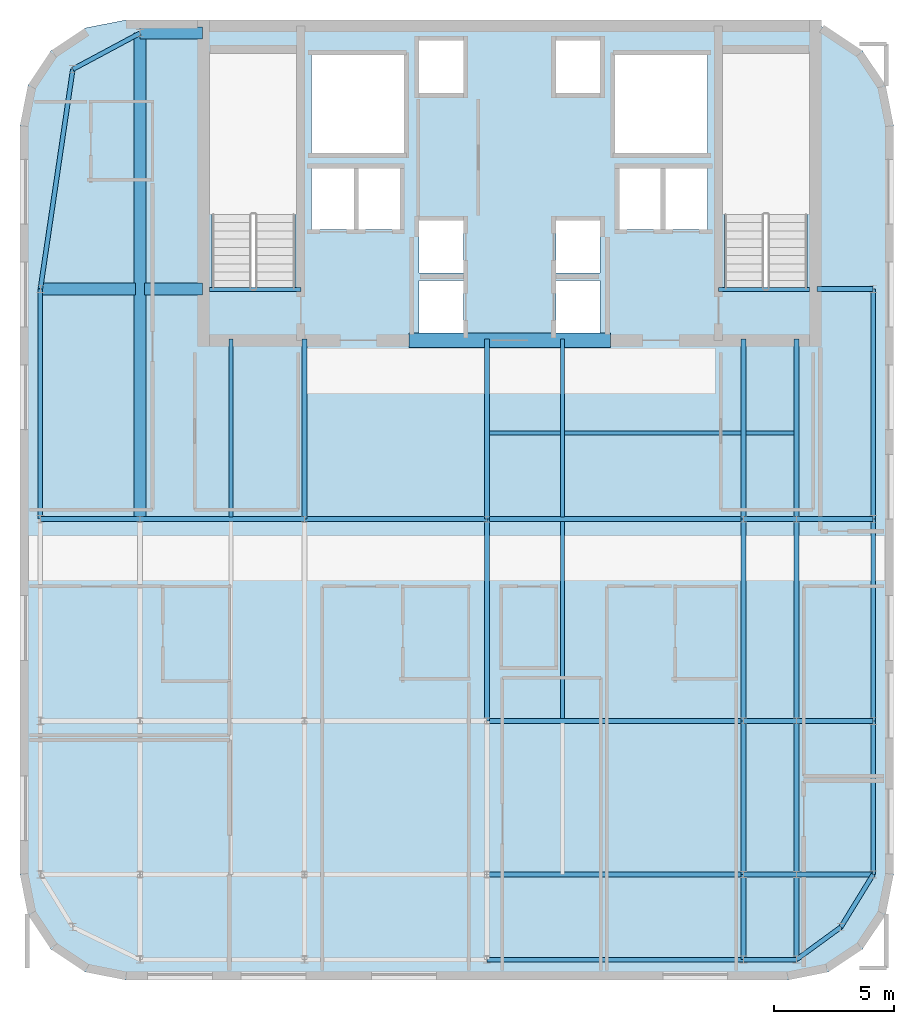
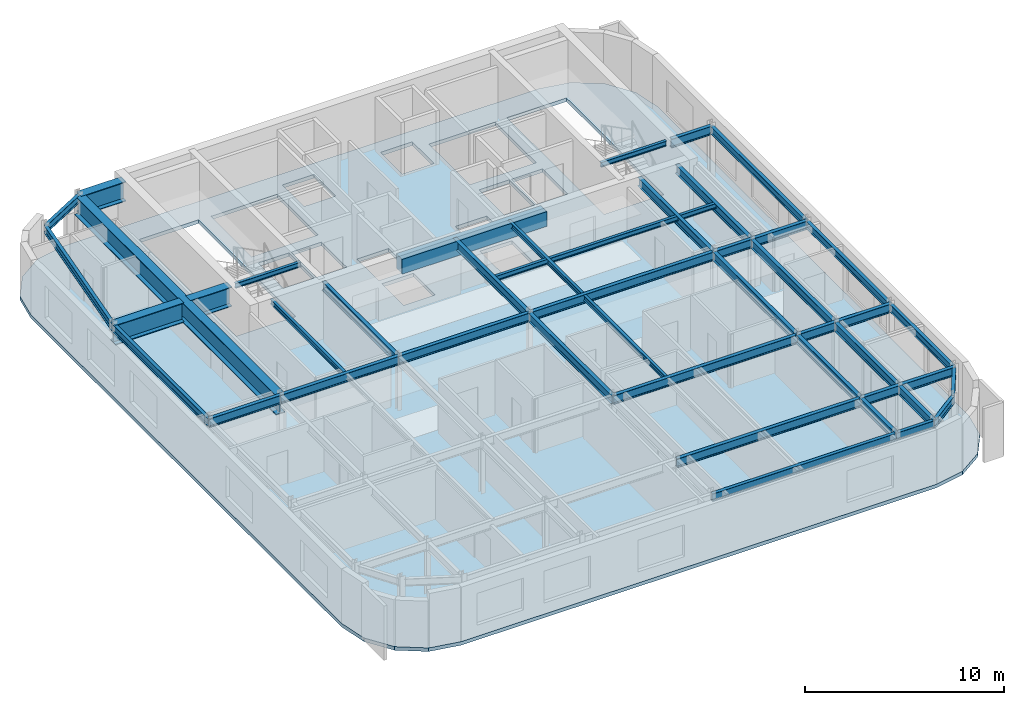
# One storey, part 5 of 12: 45 beams, 1 slab.
"""IFC4 building model written with IfcOpenShell, lengths in metres."""

from ifc_helpers import new_model, si_unit, direction, frame, origin, origin_2d, place, context, subcontext, project, spatial, polyline, rectangle, i_section, outline, extrude, source, transform, mapped, material, layer, layer_set, material_profile, profile_set, type_object, type_shapes, element, save


model = new_model("IFC4")

# Units and contexts
model_context = context("Model", 3, precision=1e-05, world=origin(), true_north=direction((0.0, 1.0)))
body_context = subcontext(model_context, "Body", "Model", "MODEL_VIEW")
ifc_project = project(units=[si_unit("LENGTHUNIT", "METRE"), si_unit("AREAUNIT", "SQUARE_METRE"), si_unit("VOLUMEUNIT", "CUBIC_METRE"), si_unit("PLANEANGLEUNIT", "RADIAN"), si_unit("MASSUNIT", "GRAM", prefix="KILO")], contexts=[model_context])

# Site, building, storey
site_placement = place(None, origin())
site = spatial("IfcSite", under=ifc_project, at=site_placement, CompositionType="ELEMENT")
building_placement = place(site_placement, origin())
building = spatial("IfcBuilding", under=site, at=building_placement, Name="Tolvann Quenvar Hotel", CompositionType="ELEMENT")
storey_placement = place(building_placement, frame((0.0, 0.0, 275.050048828125)))
storey = spatial("IfcBuildingStorey", under=building, at=storey_placement, Name="L73", CompositionType="ELEMENT", Elevation=275.050048828125)

# Beams
ifc_material_1 = material(Name="Concrete N50 (50 MPa)", Category="concrete")
ifc_material_profile_1 = material_profile(ifc_material_1, rectangle(XDim=0.60009765625, YDim=0.89990234375, at=origin_2d()), Name="RC600x900")
ifc_profile_set_1 = profile_set([ifc_material_profile_1], Name="Concrete N50 (50 MPa)")
beam_type_1 = type_object("IfcBeamType", Name="BM_LINT_RC600x900", PredefinedType="LINTEL", material=ifc_profile_set_1)
shared_shape_1 = source(origin(), body_context, "Body", "SweptSolid", [
    extrude(rectangle(XDim=0.60009765625, YDim=0.89990234375, at=origin_2d()), origin(), (0.0, 0.0, 1.0), 8.39990234375),
])
type_shapes(beam_type_1, [shared_shape_1])
beam_1_placement = place(storey_placement, frame((18.800048828125, 31.85009765625, 2.8798828125), z_axis=(1.0, 0.0, 0.0), x_axis=(0.0, 1.0, 0.0)))
element("IfcBeam", 1, at=beam_1_placement, inside=storey, type_object=beam_type_1, Name="Core Coupling Lintel Beam (L73)", PredefinedType="LINTEL", context=body_context, shape_type="MappedRepresentation", body=[
    mapped(shared_shape_1, transform((0.0, 0.0, 0.0), x_axis=(1.0, 0.0, 0.0), y_axis=(0.0, 1.0, 0.0), z_axis=(0.0, 0.0, 1.0), scale=1.0)),
])
ifc_material_2 = material(Name="Steel Grade 350", Category="steel")
ifc_material_profile_2 = material_profile(ifc_material_2, i_section(OverallWidth=0.208984375, OverallDepth=0.532958984375, WebThickness=0.01025390625, FlangeThickness=0.015625, FilletRadius=0.013916015625, at=origin_2d()), Name="530UB92")
ifc_profile_set_2 = profile_set([ifc_material_profile_2], Name="Steel Grade 350")
beam_type_2 = type_object("IfcBeamType", Name="BM_GIRD_530UB92", PredefinedType="BEAM", material=ifc_profile_set_2)
shared_shape_2 = source(origin(), body_context, "Body", "SweptSolid", [
    extrude(i_section(OverallWidth=0.208984375, OverallDepth=0.532958984375, WebThickness=0.01025390625, FlangeThickness=0.015625, FilletRadius=0.013916015625, at=origin_2d()), origin(), (0.0, 0.0, 1.0), 8.39990234375),
])
for number, where, z_axis, x_axis, name in (
    (2, (22.050048828125, 16.0, 3.0634765625), (0.0, 1.0, 0.0), (-1.0, 0.0, 0.0), "BM-L73-NS-E4-E5"),
    (3, (34.949951171875, 16.0, 3.0634765625), (0.0, 1.0, 0.0), (-1.0, 0.0, 0.0), "BM-L73-NS-F4-F5"),
    (4, (32.75, 16.0, 3.0634765625), (0.0, 1.0, 0.0), (-1.0, 0.0, 0.0), "BM-L73-NS-FP4-FP5"),
):
    element("IfcBeam", number, at=place(storey_placement, frame(where, z_axis=z_axis, x_axis=x_axis)), inside=storey, type_object=beam_type_2, Name=name, PredefinedType="BEAM", context=body_context, shape_type="MappedRepresentation", body=[
        mapped(shared_shape_2, transform((0.0, 0.0, 0.0), x_axis=(1.0, 0.0, 0.0), y_axis=(0.0, 1.0, 0.0), z_axis=(0.0, 0.0, 1.0), scale=1.0)),
    ])
ifc_material_profile_3 = material_profile(ifc_material_2, i_section(OverallWidth=0.5, OverallDepth=1.199951171875, WebThickness=0.01611328125, FlangeThickness=0.0400390625, at=origin_2d()), Name="1200WB455")
ifc_profile_set_3 = profile_set([ifc_material_profile_3], Name="Steel Grade 350")
beam_type_3 = type_object("IfcBeamType", Name="BM_TG_1200WB455", PredefinedType="USERDEFINED", material=ifc_profile_set_3)
shared_shape_3 = source(origin(), body_context, "Body", "SweptSolid", [
    extrude(i_section(OverallWidth=0.5, OverallDepth=1.199951171875, WebThickness=0.01611328125, FlangeThickness=0.0400390625, at=origin_2d()), origin(), (0.0, 0.0, 1.0), 2.419921875),
])
beam_2_placement = place(storey_placement, frame((7.780029296875, 34.0, 2.72998046875), z_axis=(1.0, 0.0, 0.0), x_axis=(0.0, 1.0, 0.0)))
element("IfcBeam", 5, at=beam_2_placement, inside=storey, type_object=beam_type_3, Name="BM-L73-CTW-MID2", ObjectType="TRANSFER GIRDER", PredefinedType="USERDEFINED", context=body_context, shape_type="MappedRepresentation", body=[
    mapped(shared_shape_3, transform((0.0, 0.0, 0.0), x_axis=(1.0, 0.0, 0.0), y_axis=(0.0, 1.0, 0.0), z_axis=(0.0, 0.0, 1.0), scale=1.0)),
])
shared_shape_4 = source(origin(), body_context, "Body", "SweptSolid", [
    extrude(i_section(OverallWidth=0.5, OverallDepth=1.199951171875, WebThickness=0.01611328125, FlangeThickness=0.0400390625, at=origin_2d()), origin(), (0.0, 0.0, 1.0), 2.599853515625),
])
beam_3_placement = place(storey_placement, frame((7.60009765625, 44.64990234375, 2.72998046875), z_axis=(1.0, 0.0, 0.0), x_axis=(0.0, 1.0, 0.0)))
element("IfcBeam", 6, at=beam_3_placement, inside=storey, type_object=beam_type_3, Name="BM-L73-CTW-CN", ObjectType="TRANSFER GIRDER", PredefinedType="USERDEFINED", context=body_context, shape_type="MappedRepresentation", body=[
    mapped(shared_shape_4, transform((0.0, 0.0, 0.0), x_axis=(1.0, 0.0, 0.0), y_axis=(0.0, 1.0, 0.0), z_axis=(0.0, 0.0, 1.0), scale=1.0)),
])
ifc_material_profile_4 = material_profile(ifc_material_2, i_section(OverallWidth=0.166015625, OverallDepth=0.306884765625, WebThickness=0.006591796875, FlangeThickness=0.01171875, FilletRadius=0.011474609375, at=origin_2d()), Name="310UB46")
ifc_profile_set_4 = profile_set([ifc_material_profile_4], Name="Steel Grade 350")
beam_type_4 = type_object("IfcBeamType", Name="BM_JOIST_310UB46", PredefinedType="JOIST", material=ifc_profile_set_4)
shared_shape_5 = source(origin(), body_context, "Body", "SweptSolid", [
    extrude(i_section(OverallWidth=0.166015625, OverallDepth=0.306884765625, WebThickness=0.006591796875, FlangeThickness=0.01171875, FilletRadius=0.011474609375, at=origin_2d()), origin(), (0.0, 0.0, 1.0), 3.800048828125),
])
for number, where, z_axis, x_axis, name in (
    (7, (10.5, 33.97998046875, 3.176513671875), (1.0, 0.0, 0.0), (0.0, 1.0, 0.0), "BM-HDR-STC1-L74"),
    (8, (31.699951171875, 33.97998046875, 3.176513671875), (1.0, 0.0, 0.0), (0.0, 1.0, 0.0), "BM-HDR-STC2-L74"),
):
    element("IfcBeam", number, at=place(storey_placement, frame(where, z_axis=z_axis, x_axis=x_axis)), inside=storey, type_object=beam_type_4, Name=name, PredefinedType="JOIST", context=body_context, shape_type="MappedRepresentation", body=[
        mapped(shared_shape_5, transform((0.0, 0.0, 0.0), x_axis=(1.0, 0.0, 0.0), y_axis=(0.0, 1.0, 0.0), z_axis=(0.0, 0.0, 1.0), scale=1.0)),
    ])
shared_shape_6 = source(origin(), body_context, "Body", "SweptSolid", [
    extrude(i_section(OverallWidth=0.5, OverallDepth=1.199951171875, WebThickness=0.01611328125, FlangeThickness=0.0400390625, at=origin_2d()), origin(), (0.0, 0.0, 1.0), 3.969970703125),
])
beam_4_placement = place(storey_placement, frame((3.449951171875, 34.0, 2.72998046875), z_axis=(1.0, 0.0, 0.0), x_axis=(0.0, 1.0, 0.0)))
element("IfcBeam", 9, at=beam_4_placement, inside=storey, type_object=beam_type_3, Name="BM-L73-CTW-MID1", ObjectType="TRANSFER GIRDER", PredefinedType="USERDEFINED", context=body_context, shape_type="MappedRepresentation", body=[
    mapped(shared_shape_6, transform((0.0, 0.0, 0.0), x_axis=(1.0, 0.0, 0.0), y_axis=(0.0, 1.0, 0.0), z_axis=(0.0, 0.0, 1.0), scale=1.0)),
])
ifc_material_profile_5 = material_profile(ifc_material_2, i_section(OverallWidth=0.19091796875, OverallDepth=0.4599609375, WebThickness=0.010009765625, FlangeThickness=0.01611328125, FilletRadius=0.011474609375, at=origin_2d()), Name="460UB82")
ifc_profile_set_5 = profile_set([ifc_material_profile_5], Name="Steel Grade 350")
beam_type_5 = type_object("IfcBeamType", Name="BM_SPAND_460UB82", PredefinedType="SPANDREL", material=ifc_profile_set_5)
shared_shape_7 = source(origin(), body_context, "Body", "SweptSolid", [
    extrude(i_section(OverallWidth=0.19091796875, OverallDepth=0.4599609375, WebThickness=0.010009765625, FlangeThickness=0.01611328125, FilletRadius=0.011474609375, at=origin_2d()), origin(), (0.0, 0.0, 1.0), 8.39990234375),
])
beam_5_placement = place(storey_placement, frame((38.14990234375, 16.0, 3.099853515625), z_axis=(0.0, 1.0, 0.0), x_axis=(-1.0, 0.0, 0.0)))
element("IfcBeam", 10, at=beam_5_placement, inside=storey, type_object=beam_type_5, Name="BM-L73-NS-G4-G5", PredefinedType="SPANDREL", context=body_context, shape_type="MappedRepresentation", body=[
    mapped(shared_shape_7, transform((0.0, 0.0, 0.0), x_axis=(1.0, 0.0, 0.0), y_axis=(0.0, 1.0, 0.0), z_axis=(0.0, 0.0, 1.0), scale=1.0)),
])
shared_shape_8 = source(origin(), body_context, "Body", "SweptSolid", [
    extrude(i_section(OverallWidth=0.19091796875, OverallDepth=0.4599609375, WebThickness=0.010009765625, FlangeThickness=0.01611328125, FilletRadius=0.011474609375, at=origin_2d()), origin(), (0.0, 0.0, 1.0), 9.60009765625),
])
for number, where, z_axis, x_axis, name in (
    (11, (3.449951171875, 24.39990234375, 3.099853515625), (0.0, 1.0, 0.0), (-1.0, 0.0, 0.0), "BM-L73-FLK-W1"),
    (12, (38.14990234375, 24.39990234375, 3.099853515625), (0.0, 1.0, 0.0), (-1.0, 0.0, 0.0), "BM-L73-FLK-G1"),
):
    element("IfcBeam", number, at=place(storey_placement, frame(where, z_axis=z_axis, x_axis=x_axis)), inside=storey, type_object=beam_type_5, Name=name, PredefinedType="SPANDREL", context=body_context, shape_type="MappedRepresentation", body=[
        mapped(shared_shape_8, transform((0.0, 0.0, 0.0), x_axis=(1.0, 0.0, 0.0), y_axis=(0.0, 1.0, 0.0), z_axis=(0.0, 0.0, 1.0), scale=1.0)),
    ])
shared_shape_9 = source(origin(), body_context, "Body", "SweptSolid", [
    extrude(i_section(OverallWidth=0.19091796875, OverallDepth=0.4599609375, WebThickness=0.010009765625, FlangeThickness=0.01611328125, FilletRadius=0.011474609375, at=origin_2d()), origin(), (0.0, 0.0, 1.0), 9.2490234375),
])
beam_6_placement = place(storey_placement, frame((3.449951171875, 34.0, 3.099853515625), z_axis=(0.145972731602, 0.989288613918, 0.0), x_axis=(-0.989288613918, 0.145972731602, 0.0)))
element("IfcBeam", 13, at=beam_6_placement, inside=storey, type_object=beam_type_5, Name="BM-L73-FLK-W2", PredefinedType="SPANDREL", context=body_context, shape_type="MappedRepresentation", body=[
    mapped(shared_shape_9, transform((0.0, 0.0, 0.0), x_axis=(1.0, 0.0, 0.0), y_axis=(0.0, 1.0, 0.0), z_axis=(0.0, 0.0, 1.0), scale=1.0)),
])
shared_shape_10 = source(origin(), body_context, "Body", "SweptSolid", [
    extrude(i_section(OverallWidth=0.19091796875, OverallDepth=0.4599609375, WebThickness=0.010009765625, FlangeThickness=0.01611328125, FilletRadius=0.011474609375, at=origin_2d()), origin(), (0.0, 0.0, 1.0), 3.176513671875),
])
beam_7_placement = place(storey_placement, frame((4.800048828125, 43.14990234375, 3.099853515625), z_axis=(0.881483397762, 0.472215014025, 0.0), x_axis=(-0.472215014025, 0.881483397762, 0.0)))
element("IfcBeam", 14, at=beam_7_placement, inside=storey, type_object=beam_type_5, Name="BM-L73-FLK-W3", PredefinedType="SPANDREL", context=body_context, shape_type="MappedRepresentation", body=[
    mapped(shared_shape_10, transform((0.0, 0.0, 0.0), x_axis=(1.0, 0.0, 0.0), y_axis=(0.0, 1.0, 0.0), z_axis=(0.0, 0.0, 1.0), scale=1.0)),
])
shared_shape_11 = source(origin(), body_context, "Body", "SweptSolid", [
    extrude(i_section(OverallWidth=0.5, OverallDepth=1.199951171875, WebThickness=0.01611328125, FlangeThickness=0.0400390625, at=origin_2d()), origin(), (0.0, 0.0, 1.0), 20.25),
])
type_shapes(beam_type_3, [shared_shape_3, shared_shape_4, shared_shape_6, shared_shape_11])
beam_8_placement = place(storey_placement, frame((7.60009765625, 24.39990234375, 2.72998046875), z_axis=(0.0, 1.0, 0.0), x_axis=(-1.0, 0.0, 0.0)))
element("IfcBeam", 15, at=beam_8_placement, inside=storey, type_object=beam_type_3, Name="BM-L73-FLK-WC", ObjectType="TRANSFER GIRDER", PredefinedType="USERDEFINED", context=body_context, shape_type="MappedRepresentation", body=[
    mapped(shared_shape_11, transform((0.0, 0.0, 0.0), x_axis=(1.0, 0.0, 0.0), y_axis=(0.0, 1.0, 0.0), z_axis=(0.0, 0.0, 1.0), scale=1.0)),
])
shared_shape_12 = source(origin(), body_context, "Body", "SweptSolid", [
    extrude(i_section(OverallWidth=0.166015625, OverallDepth=0.306884765625, WebThickness=0.006591796875, FlangeThickness=0.01171875, FilletRadius=0.011474609375, at=origin_2d()), origin(), (0.0, 0.0, 1.0), 12.89990234375),
])
beam_9_placement = place(storey_placement, frame((22.050048828125, 28.0, 3.176513671875), z_axis=(1.0, 0.0, 0.0), x_axis=(0.0, 1.0, 0.0)))
element("IfcBeam", 16, at=beam_9_placement, inside=storey, type_object=beam_type_4, Name="BM-L73-SPINE-28", PredefinedType="JOIST", context=body_context, shape_type="MappedRepresentation", body=[
    mapped(shared_shape_12, transform((0.0, 0.0, 0.0), x_axis=(1.0, 0.0, 0.0), y_axis=(0.0, 1.0, 0.0), z_axis=(0.0, 0.0, 1.0), scale=1.0)),
])
shared_shape_13 = source(origin(), body_context, "Body", "SweptSolid", [
    extrude(i_section(OverallWidth=0.19091796875, OverallDepth=0.4599609375, WebThickness=0.010009765625, FlangeThickness=0.01611328125, FilletRadius=0.011474609375, at=origin_2d()), origin(), (0.0, 0.0, 1.0), 2.199951171875),
])
beam_10_placement = place(storey_placement, frame((32.75, 6.050048828125, 3.099853515625), z_axis=(1.0, 0.0, 0.0), x_axis=(0.0, 1.0, 0.0)))
element("IfcBeam", 17, at=beam_10_placement, inside=storey, type_object=beam_type_5, Name="BM-L73-EW-2-FP2-F2", PredefinedType="SPANDREL", context=body_context, shape_type="MappedRepresentation", body=[
    mapped(shared_shape_13, transform((0.0, 0.0, 0.0), x_axis=(1.0, 0.0, 0.0), y_axis=(0.0, 1.0, 0.0), z_axis=(0.0, 0.0, 1.0), scale=1.0)),
])
shared_shape_14 = source(origin(), body_context, "Body", "SweptSolid", [
    extrude(i_section(OverallWidth=0.19091796875, OverallDepth=0.4599609375, WebThickness=0.010009765625, FlangeThickness=0.01611328125, FilletRadius=0.011474609375, at=origin_2d()), origin(), (0.0, 0.0, 1.0), 2.290283203125),
])
beam_11_placement = place(storey_placement, frame((34.949951171875, 6.050048828125, 3.099853515625), z_axis=(0.80783621865, 0.589407027305, 0.0), x_axis=(-0.589407027305, 0.80783621865, 0.0)))
element("IfcBeam", 18, at=beam_11_placement, inside=storey, type_object=beam_type_5, Name="BM-L73-EW-2-F2-G2", PredefinedType="SPANDREL", context=body_context, shape_type="MappedRepresentation", body=[
    mapped(shared_shape_14, transform((0.0, 0.0, 0.0), x_axis=(1.0, 0.0, 0.0), y_axis=(0.0, 1.0, 0.0), z_axis=(0.0, 0.0, 1.0), scale=1.0)),
])
shared_shape_15 = source(origin(), body_context, "Body", "SweptSolid", [
    extrude(i_section(OverallWidth=0.208984375, OverallDepth=0.532958984375, WebThickness=0.01025390625, FlangeThickness=0.015625, FilletRadius=0.013916015625, at=origin_2d()), origin(), (0.0, 0.0, 1.0), 4.150146484375),
])
beam_12_placement = place(storey_placement, frame((3.449951171875, 24.39990234375, 3.0634765625), z_axis=(1.0, 0.0, 0.0), x_axis=(0.0, 1.0, 0.0)))
element("IfcBeam", 19, at=beam_12_placement, inside=storey, type_object=beam_type_2, Name="BM-L73-EW-5-B5-C5", PredefinedType="BEAM", context=body_context, shape_type="MappedRepresentation", body=[
    mapped(shared_shape_15, transform((0.0, 0.0, 0.0), x_axis=(1.0, 0.0, 0.0), y_axis=(0.0, 1.0, 0.0), z_axis=(0.0, 0.0, 1.0), scale=1.0)),
])
shared_shape_16 = source(origin(), body_context, "Body", "SweptSolid", [
    extrude(i_section(OverallWidth=0.208984375, OverallDepth=0.532958984375, WebThickness=0.01025390625, FlangeThickness=0.015625, FilletRadius=0.013916015625, at=origin_2d()), origin(), (0.0, 0.0, 1.0), 6.849853515625),
])
beam_13_placement = place(storey_placement, frame((7.60009765625, 24.39990234375, 3.0634765625), z_axis=(1.0, 0.0, 0.0), x_axis=(0.0, 1.0, 0.0)))
element("IfcBeam", 20, at=beam_13_placement, inside=storey, type_object=beam_type_2, Name="BM-L73-EW-5-C5-D5", PredefinedType="BEAM", context=body_context, shape_type="MappedRepresentation", body=[
    mapped(shared_shape_16, transform((0.0, 0.0, 0.0), x_axis=(1.0, 0.0, 0.0), y_axis=(0.0, 1.0, 0.0), z_axis=(0.0, 0.0, 1.0), scale=1.0)),
])
shared_shape_17 = source(origin(), body_context, "Body", "SweptSolid", [
    extrude(i_section(OverallWidth=0.208984375, OverallDepth=0.532958984375, WebThickness=0.01025390625, FlangeThickness=0.015625, FilletRadius=0.013916015625, at=origin_2d()), origin(), (0.0, 0.0, 1.0), 2.199951171875),
])
for number, where, z_axis, x_axis, name in (
    (21, (32.75, 9.60009765625, 3.0634765625), (1.0, 0.0, 0.0), (0.0, 1.0, 0.0), "BM-L73-EW-3-FP3-F3"),
    (22, (32.75, 16.0, 3.0634765625), (1.0, 0.0, 0.0), (0.0, 1.0, 0.0), "BM-L73-EW-4-FP4-F4"),
    (23, (32.75, 24.39990234375, 3.0634765625), (1.0, 0.0, 0.0), (0.0, 1.0, 0.0), "BM-L73-EW-5-FP5-F5"),
):
    element("IfcBeam", number, at=place(storey_placement, frame(where, z_axis=z_axis, x_axis=x_axis)), inside=storey, type_object=beam_type_2, Name=name, PredefinedType="BEAM", context=body_context, shape_type="MappedRepresentation", body=[
        mapped(shared_shape_17, transform((0.0, 0.0, 0.0), x_axis=(1.0, 0.0, 0.0), y_axis=(0.0, 1.0, 0.0), z_axis=(0.0, 0.0, 1.0), scale=1.0)),
    ])
shared_shape_18 = source(origin(), body_context, "Body", "SweptSolid", [
    extrude(i_section(OverallWidth=0.208984375, OverallDepth=0.532958984375, WebThickness=0.01025390625, FlangeThickness=0.015625, FilletRadius=0.013916015625, at=origin_2d()), origin(), (0.0, 0.0, 1.0), 3.199951171875),
])
for number, where, z_axis, x_axis, name in (
    (24, (34.949951171875, 9.60009765625, 3.0634765625), (1.0, 0.0, 0.0), (0.0, 1.0, 0.0), "BM-L73-EW-3-F3-G3"),
    (25, (34.949951171875, 16.0, 3.0634765625), (1.0, 0.0, 0.0), (0.0, 1.0, 0.0), "BM-L73-EW-4-F4-G4"),
    (26, (34.949951171875, 24.39990234375, 3.0634765625), (1.0, 0.0, 0.0), (0.0, 1.0, 0.0), "BM-L73-EW-5-F5-G5"),
):
    element("IfcBeam", number, at=place(storey_placement, frame(where, z_axis=z_axis, x_axis=x_axis)), inside=storey, type_object=beam_type_2, Name=name, PredefinedType="BEAM", context=body_context, shape_type="MappedRepresentation", body=[
        mapped(shared_shape_18, transform((0.0, 0.0, 0.0), x_axis=(1.0, 0.0, 0.0), y_axis=(0.0, 1.0, 0.0), z_axis=(0.0, 0.0, 1.0), scale=1.0)),
    ])
shared_shape_19 = source(origin(), body_context, "Body", "SweptSolid", [
    extrude(i_section(OverallWidth=0.208984375, OverallDepth=0.532958984375, WebThickness=0.01025390625, FlangeThickness=0.015625, FilletRadius=0.013916015625, at=origin_2d()), origin(), (0.0, 0.0, 1.0), 7.60009765625),
])
beam_14_placement = place(storey_placement, frame((14.449951171875, 24.39990234375, 3.0634765625), z_axis=(1.0, 0.0, 0.0), x_axis=(0.0, 1.0, 0.0)))
element("IfcBeam", 27, at=beam_14_placement, inside=storey, type_object=beam_type_2, Name="BM-L73-EW-5-D5-E5", PredefinedType="BEAM", context=body_context, shape_type="MappedRepresentation", body=[
    mapped(shared_shape_19, transform((0.0, 0.0, 0.0), x_axis=(1.0, 0.0, 0.0), y_axis=(0.0, 1.0, 0.0), z_axis=(0.0, 0.0, 1.0), scale=1.0)),
])
shared_shape_20 = source(origin(), body_context, "Body", "SweptSolid", [
    extrude(i_section(OverallWidth=0.208984375, OverallDepth=0.532958984375, WebThickness=0.01025390625, FlangeThickness=0.015625, FilletRadius=0.013916015625, at=origin_2d()), origin(), (0.0, 0.0, 1.0), 7.5),
])
for number, where, z_axis, x_axis, name in (
    (28, (14.449951171875, 24.39990234375, 3.0634765625), (0.0, 1.0, 0.0), (-1.0, 0.0, 0.0), "BM-L73-CORE-D5"),
    (29, (22.050048828125, 24.39990234375, 3.0634765625), (0.0, 1.0, 0.0), (-1.0, 0.0, 0.0), "BM-L73-CORE-E5"),
    (30, (34.949951171875, 24.39990234375, 3.0634765625), (0.0, 1.0, 0.0), (-1.0, 0.0, 0.0), "BM-L73-CORE-F5"),
    (31, (32.75, 24.39990234375, 3.0634765625), (0.0, 1.0, 0.0), (-1.0, 0.0, 0.0), "BM-L73-CORE-FP5"),
):
    element("IfcBeam", number, at=place(storey_placement, frame(where, z_axis=z_axis, x_axis=x_axis)), inside=storey, type_object=beam_type_2, Name=name, PredefinedType="BEAM", context=body_context, shape_type="MappedRepresentation", body=[
        mapped(shared_shape_20, transform((0.0, 0.0, 0.0), x_axis=(1.0, 0.0, 0.0), y_axis=(0.0, 1.0, 0.0), z_axis=(0.0, 0.0, 1.0), scale=1.0)),
    ])
shared_shape_21 = source(origin(), body_context, "Body", "SweptSolid", [
    extrude(i_section(OverallWidth=0.208984375, OverallDepth=0.532958984375, WebThickness=0.01025390625, FlangeThickness=0.015625, FilletRadius=0.013916015625, at=origin_2d()), origin(), (0.0, 0.0, 1.0), 2.349853515625),
])
beam_15_placement = place(storey_placement, frame((35.800048828125, 34.0, 3.0634765625), z_axis=(1.0, 0.0, 0.0), x_axis=(0.0, 1.0, 0.0)))
element("IfcBeam", 32, at=beam_15_placement, inside=storey, type_object=beam_type_2, Name="BM-L73-CTE-GD6", PredefinedType="BEAM", context=body_context, shape_type="MappedRepresentation", body=[
    mapped(shared_shape_21, transform((0.0, 0.0, 0.0), x_axis=(1.0, 0.0, 0.0), y_axis=(0.0, 1.0, 0.0), z_axis=(0.0, 0.0, 1.0), scale=1.0)),
])
shared_shape_22 = source(origin(), body_context, "Body", "SweptSolid", [
    extrude(i_section(OverallWidth=0.166015625, OverallDepth=0.306884765625, WebThickness=0.006591796875, FlangeThickness=0.01171875, FilletRadius=0.011474609375, at=origin_2d()), origin(), (0.0, 0.0, 1.0), 8.203125),
])
beam_16_placement = place(storey_placement, frame((25.199951171875, 16.098388671875, 3.176513671875), z_axis=(0.0, 1.0, 0.0), x_axis=(-1.0, 0.0, 0.0)))
element("IfcBeam", 33, at=beam_16_placement, inside=storey, type_object=beam_type_4, Name="BJ-L73-252-160", PredefinedType="JOIST", context=body_context, shape_type="MappedRepresentation", body=[
    mapped(shared_shape_22, transform((0.0, 0.0, 0.0), x_axis=(1.0, 0.0, 0.0), y_axis=(0.0, 1.0, 0.0), z_axis=(0.0, 0.0, 1.0), scale=1.0)),
])
shared_shape_23 = source(origin(), body_context, "Body", "SweptSolid", [
    extrude(i_section(OverallWidth=0.166015625, OverallDepth=0.306884765625, WebThickness=0.006591796875, FlangeThickness=0.01171875, FilletRadius=0.011474609375, at=origin_2d()), origin(), (0.0, 0.0, 1.0), 7.4013671875),
])
type_shapes(beam_type_4, [shared_shape_5, shared_shape_12, shared_shape_22, shared_shape_23])
for number, where, z_axis, x_axis, name in (
    (34, (11.39990234375, 24.49853515625, 3.176513671875), (0.0, 1.0, 0.0), (-1.0, 0.0, 0.0), "BJ-L73-114-244"),
    (35, (25.199951171875, 24.49853515625, 3.176513671875), (0.0, 1.0, 0.0), (-1.0, 0.0, 0.0), "BJ-L73-252-244"),
):
    element("IfcBeam", number, at=place(storey_placement, frame(where, z_axis=z_axis, x_axis=x_axis)), inside=storey, type_object=beam_type_4, Name=name, PredefinedType="JOIST", context=body_context, shape_type="MappedRepresentation", body=[
        mapped(shared_shape_23, transform((0.0, 0.0, 0.0), x_axis=(1.0, 0.0, 0.0), y_axis=(0.0, 1.0, 0.0), z_axis=(0.0, 0.0, 1.0), scale=1.0)),
    ])
shared_shape_24 = source(origin(), body_context, "Body", "SweptSolid", [
    extrude(i_section(OverallWidth=0.19091796875, OverallDepth=0.4599609375, WebThickness=0.010009765625, FlangeThickness=0.01611328125, FilletRadius=0.011474609375, at=origin_2d()), origin(), (0.0, 0.0, 1.0), 10.699951171875),
])
beam_17_placement = place(storey_placement, frame((22.050048828125, 6.050048828125, 3.099853515625), z_axis=(1.0, 0.0, 0.0), x_axis=(0.0, 1.0, 0.0)))
element("IfcBeam", 36, at=beam_17_placement, inside=storey, type_object=beam_type_5, Name="BM-L73-EW-2-E2-FP2", PredefinedType="SPANDREL", context=body_context, shape_type="MappedRepresentation", body=[
    mapped(shared_shape_24, transform((0.0, 0.0, 0.0), x_axis=(1.0, 0.0, 0.0), y_axis=(0.0, 1.0, 0.0), z_axis=(0.0, 0.0, 1.0), scale=1.0)),
])
shared_shape_25 = source(origin(), body_context, "Body", "SweptSolid", [
    extrude(i_section(OverallWidth=0.208984375, OverallDepth=0.532958984375, WebThickness=0.01025390625, FlangeThickness=0.015625, FilletRadius=0.013916015625, at=origin_2d()), origin(), (0.0, 0.0, 1.0), 10.699951171875),
])
for number, where, z_axis, x_axis, name in (
    (37, (22.050048828125, 9.60009765625, 3.0634765625), (1.0, 0.0, 0.0), (0.0, 1.0, 0.0), "BM-L73-EW-3-E3-FP3"),
    (38, (22.050048828125, 16.0, 3.0634765625), (1.0, 0.0, 0.0), (0.0, 1.0, 0.0), "BM-L73-EW-4-E4-FP4"),
    (39, (22.050048828125, 24.39990234375, 3.0634765625), (1.0, 0.0, 0.0), (0.0, 1.0, 0.0), "BM-L73-EW-5-E5-FP5"),
):
    element("IfcBeam", number, at=place(storey_placement, frame(where, z_axis=z_axis, x_axis=x_axis)), inside=storey, type_object=beam_type_2, Name=name, PredefinedType="BEAM", context=body_context, shape_type="MappedRepresentation", body=[
        mapped(shared_shape_25, transform((0.0, 0.0, 0.0), x_axis=(1.0, 0.0, 0.0), y_axis=(0.0, 1.0, 0.0), z_axis=(0.0, 0.0, 1.0), scale=1.0)),
    ])
shared_shape_26 = source(origin(), body_context, "Body", "SweptSolid", [
    extrude(i_section(OverallWidth=0.19091796875, OverallDepth=0.4599609375, WebThickness=0.010009765625, FlangeThickness=0.01611328125, FilletRadius=0.011474609375, at=origin_2d()), origin(), (0.0, 0.0, 1.0), 2.581298828125),
])
beam_18_placement = place(storey_placement, frame((36.800048828125, 7.39990234375, 3.099853515625), z_axis=(0.522941262414, 0.852368720722, 0.0), x_axis=(-0.852368720722, 0.522941262414, 0.0)))
element("IfcBeam", 40, at=beam_18_placement, inside=storey, type_object=beam_type_5, Name="BM-L73-NS-G2-G3", PredefinedType="SPANDREL", context=body_context, shape_type="MappedRepresentation", body=[
    mapped(shared_shape_26, transform((0.0, 0.0, 0.0), x_axis=(1.0, 0.0, 0.0), y_axis=(0.0, 1.0, 0.0), z_axis=(0.0, 0.0, 1.0), scale=1.0)),
])
shared_shape_27 = source(origin(), body_context, "Body", "SweptSolid", [
    extrude(i_section(OverallWidth=0.19091796875, OverallDepth=0.4599609375, WebThickness=0.010009765625, FlangeThickness=0.01611328125, FilletRadius=0.011474609375, at=origin_2d()), origin(), (0.0, 0.0, 1.0), 6.39990234375),
])
type_shapes(beam_type_5, [shared_shape_7, shared_shape_8, shared_shape_9, shared_shape_10, shared_shape_13, shared_shape_14, shared_shape_24, shared_shape_26, shared_shape_27])
beam_19_placement = place(storey_placement, frame((38.14990234375, 9.60009765625, 3.099853515625), z_axis=(0.0, 1.0, 0.0), x_axis=(-1.0, 0.0, 0.0)))
element("IfcBeam", 41, at=beam_19_placement, inside=storey, type_object=beam_type_5, Name="BM-L73-NS-G3-G4", PredefinedType="SPANDREL", context=body_context, shape_type="MappedRepresentation", body=[
    mapped(shared_shape_27, transform((0.0, 0.0, 0.0), x_axis=(1.0, 0.0, 0.0), y_axis=(0.0, 1.0, 0.0), z_axis=(0.0, 0.0, 1.0), scale=1.0)),
])
shared_shape_28 = source(origin(), body_context, "Body", "SweptSolid", [
    extrude(i_section(OverallWidth=0.208984375, OverallDepth=0.532958984375, WebThickness=0.01025390625, FlangeThickness=0.015625, FilletRadius=0.013916015625, at=origin_2d()), origin(), (0.0, 0.0, 1.0), 3.550048828125),
])
for number, where, z_axis, x_axis, name in (
    (42, (34.949951171875, 6.050048828125, 3.0634765625), (0.0, 1.0, 0.0), (-1.0, 0.0, 0.0), "BM-L73-NS-F2-F3"),
    (43, (32.75, 6.050048828125, 3.0634765625), (0.0, 1.0, 0.0), (-1.0, 0.0, 0.0), "BM-L73-NS-FP2-FP3"),
):
    element("IfcBeam", number, at=place(storey_placement, frame(where, z_axis=z_axis, x_axis=x_axis)), inside=storey, type_object=beam_type_2, Name=name, PredefinedType="BEAM", context=body_context, shape_type="MappedRepresentation", body=[
        mapped(shared_shape_28, transform((0.0, 0.0, 0.0), x_axis=(1.0, 0.0, 0.0), y_axis=(0.0, 1.0, 0.0), z_axis=(0.0, 0.0, 1.0), scale=1.0)),
    ])
shared_shape_29 = source(origin(), body_context, "Body", "SweptSolid", [
    extrude(i_section(OverallWidth=0.208984375, OverallDepth=0.532958984375, WebThickness=0.01025390625, FlangeThickness=0.015625, FilletRadius=0.013916015625, at=origin_2d()), origin(), (0.0, 0.0, 1.0), 6.39990234375),
])
type_shapes(beam_type_2, [shared_shape_2, shared_shape_15, shared_shape_16, shared_shape_17, shared_shape_18, shared_shape_19, shared_shape_20, shared_shape_21, shared_shape_25, shared_shape_28, shared_shape_29])
for number, where, z_axis, x_axis, name in (
    (44, (34.949951171875, 9.60009765625, 3.0634765625), (0.0, 1.0, 0.0), (-1.0, 0.0, 0.0), "BM-L73-NS-F3-F4"),
    (45, (32.75, 9.60009765625, 3.0634765625), (0.0, 1.0, 0.0), (-1.0, 0.0, 0.0), "BM-L73-NS-FP3-FP4"),
):
    element("IfcBeam", number, at=place(storey_placement, frame(where, z_axis=z_axis, x_axis=x_axis)), inside=storey, type_object=beam_type_2, Name=name, PredefinedType="BEAM", context=body_context, shape_type="MappedRepresentation", body=[
        mapped(shared_shape_29, transform((0.0, 0.0, 0.0), x_axis=(1.0, 0.0, 0.0), y_axis=(0.0, 1.0, 0.0), z_axis=(0.0, 0.0, 1.0), scale=1.0)),
    ])

# Slab
ifc_layer = layer(ifc_material_1, 0.219970703125)
ifc_layer_set = layer_set([ifc_layer], Name="Concrete N50 (50 MPa)")
slab_type = type_object("IfcSlabType", Name="SLAB_UPR_220", PredefinedType="FLOOR", material=ifc_layer_set)
slab_placement = place(storey_placement, frame((0.0, 0.0, -0.219970703125)))
element("IfcSlab", 46, at=slab_placement, inside=storey, type_object=slab_type, Name="Level L73 Structural Floor Slab", PredefinedType="FLOOR", context=body_context, shape_type="SweptSolid", body=[
    extrude(outline(polyline([(2.60009765625, 9.60009765625), (2.934814453125, 7.916259765625), (3.888671875, 6.48876953125), (5.316162109375, 5.534912109375), (7.0, 5.199951171875), (34.60009765625, 5.199951171875), (36.28369140625, 5.534912109375), (37.711181640625, 6.48876953125), (38.6650390625, 7.916259765625), (39.0, 9.60009765625), (39.0, 40.800048828125), (38.6650390625, 42.48388671875), (37.711181640625, 43.911376953125), (36.28369140625, 44.864990234375), (34.60009765625, 45.199951171875), (7.0, 45.199951171875), (5.316162109375, 44.864990234375), (3.888671875, 43.911376953125), (2.934814453125, 42.48388671875), (2.60009765625, 40.800048828125), (2.60009765625, 9.60009765625)]), holes=[polyline([(31.949951171875, 34.02490234375), (31.949951171875, 43.800048828125), (35.39990234375, 43.800048828125), (35.39990234375, 34.02490234375), (31.949951171875, 34.02490234375)]), polyline([(27.39990234375, 43.75), (31.25, 43.75), (31.25, 39.64990234375), (27.39990234375, 39.64990234375), (27.39990234375, 43.75)]), polyline([(29.449951171875, 39.02001953125), (31.25, 39.02001953125), (31.25, 36.47998046875), (29.449951171875, 36.47998046875), (29.449951171875, 39.02001953125)]), polyline([(27.574951171875, 39.02001953125), (29.324951171875, 39.02001953125), (29.324951171875, 36.47998046875), (27.574951171875, 36.47998046875), (27.574951171875, 39.02001953125)]), polyline([(24.929931640625, 36.840087890625), (26.77001953125, 36.840087890625), (26.77001953125, 34.659912109375), (24.929931640625, 34.659912109375), (24.929931640625, 36.840087890625)]), polyline([(24.929931640625, 44.340087890625), (26.77001953125, 44.340087890625), (26.77001953125, 42.159912109375), (24.929931640625, 42.159912109375), (24.929931640625, 44.340087890625)]), polyline([(24.929931640625, 32.159912109375), (24.929931640625, 34.340087890625), (26.77001953125, 34.340087890625), (26.77001953125, 32.159912109375), (24.929931640625, 32.159912109375)]), polyline([(19.22998046875, 36.840087890625), (21.070068359375, 36.840087890625), (21.070068359375, 34.659912109375), (19.22998046875, 34.659912109375), (19.22998046875, 36.840087890625)]), polyline([(19.22998046875, 44.340087890625), (21.070068359375, 44.340087890625), (21.070068359375, 42.159912109375), (19.22998046875, 42.159912109375), (19.22998046875, 44.340087890625)]), polyline([(19.22998046875, 32.159912109375), (19.22998046875, 34.340087890625), (21.070068359375, 34.340087890625), (21.070068359375, 32.159912109375), (19.22998046875, 32.159912109375)]), polyline([(14.75, 43.75), (18.60009765625, 43.75), (18.60009765625, 39.64990234375), (14.75, 39.64990234375), (14.75, 43.75)]), polyline([(16.675048828125, 39.02001953125), (18.425048828125, 39.02001953125), (18.425048828125, 36.47998046875), (16.675048828125, 36.47998046875), (16.675048828125, 39.02001953125)]), polyline([(14.75, 39.02001953125), (16.550048828125, 39.02001953125), (16.550048828125, 36.47998046875), (14.75, 36.47998046875), (14.75, 39.02001953125)]), polyline([(10.60009765625, 34.02490234375), (10.60009765625, 43.800048828125), (14.050048828125, 43.800048828125), (14.050048828125, 34.02490234375), (10.60009765625, 34.02490234375)])]), origin(), (0.0, 0.0, 1.0), 0.219970703125),
])

save(model, "model.ifc")
